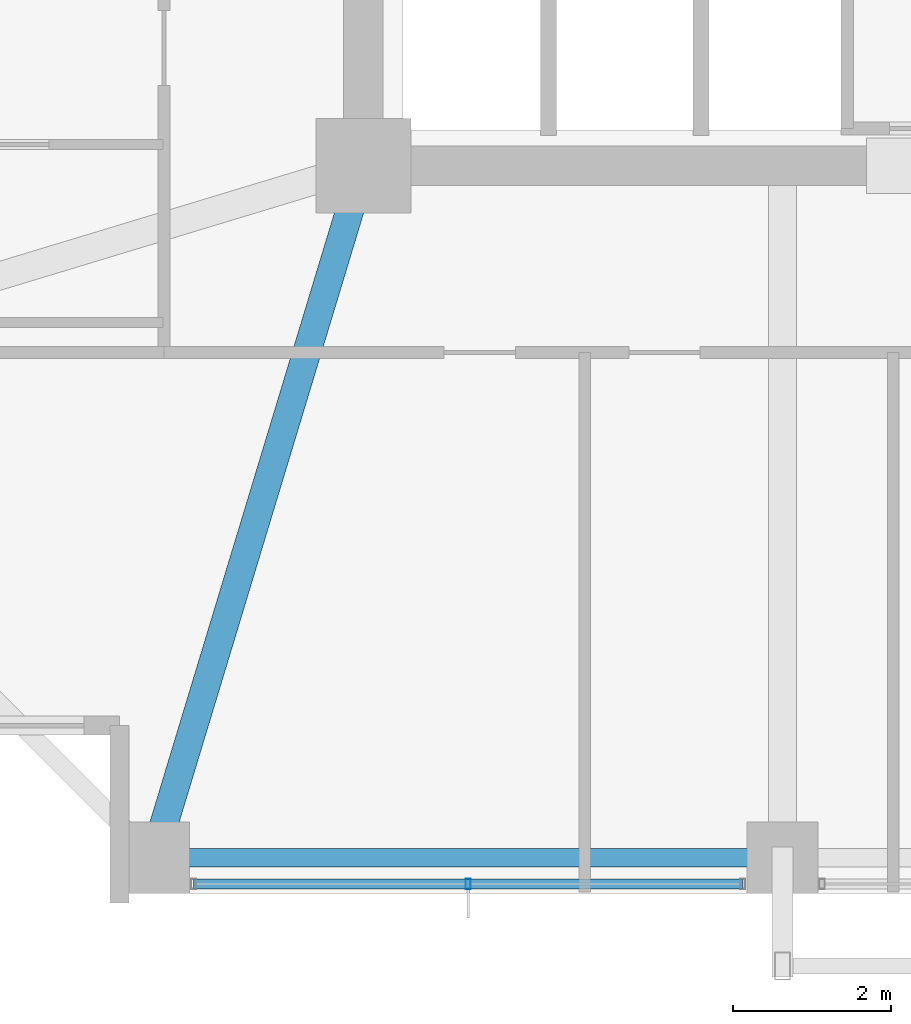
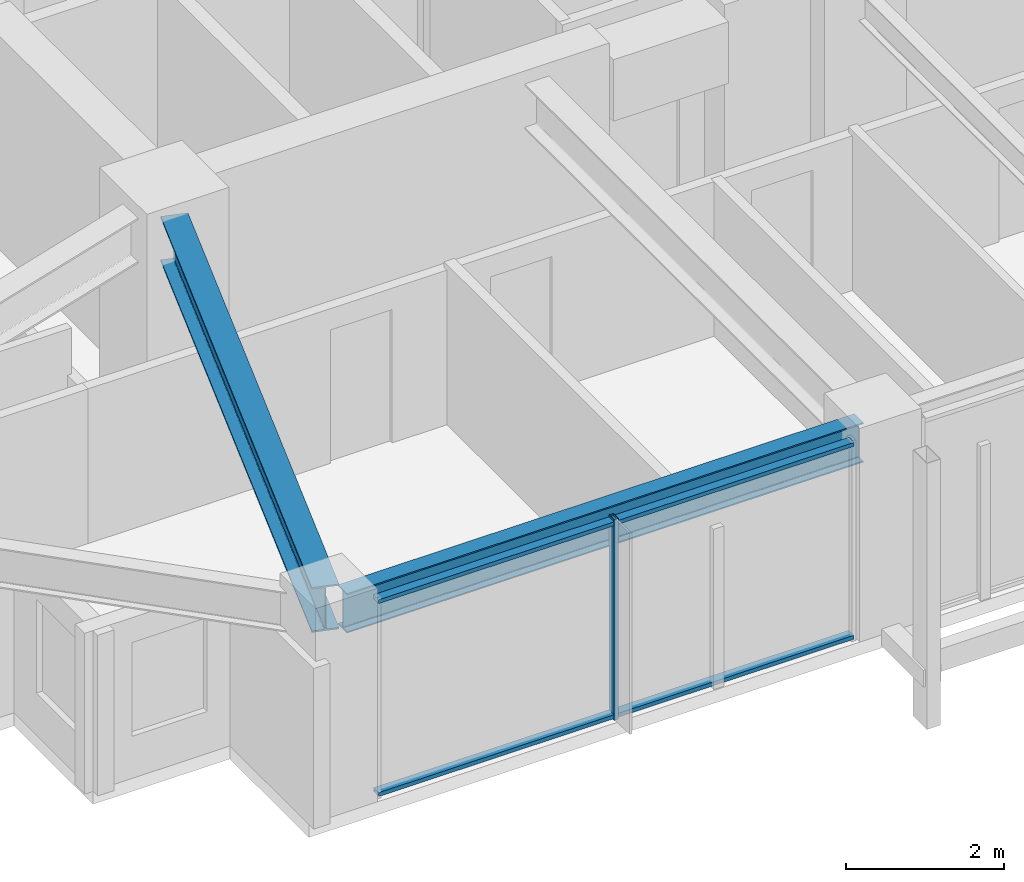
# One storey, part 3 of 37: 3 members, 2 beams, 1 element without a shape of its own.
"""IFC4 building model written with IfcOpenShell, lengths in metres."""

from ifc_helpers import new_model, si_unit, direction, frame, origin, origin_2d, place, context, subcontext, project, spatial, hollow_rectangle, i_section, extrude, material, material_profile, profile_set, type_object, element, aggregate, save


model = new_model("IFC4")

# Units and contexts
model_context = context("Model", 3, precision=1e-05, world=origin(), true_north=direction((0.0, 1.0)))
body_context = subcontext(model_context, "Body", "Model", "MODEL_VIEW")
ifc_project = project(units=[si_unit("LENGTHUNIT", "METRE"), si_unit("AREAUNIT", "SQUARE_METRE"), si_unit("VOLUMEUNIT", "CUBIC_METRE"), si_unit("PLANEANGLEUNIT", "RADIAN"), si_unit("MASSUNIT", "GRAM", prefix="KILO")], contexts=[model_context])

# Site, building, storey
site_placement = place(None, origin())
site = spatial("IfcSite", under=ifc_project, at=site_placement, CompositionType="ELEMENT")
building_placement = place(site_placement, origin())
building = spatial("IfcBuilding", under=site, at=building_placement, Name="Kolvaren Belvedere", CompositionType="ELEMENT")
storey_placement = place(building_placement, frame((0.0, 0.0, 156.89990234375)))
storey = spatial("IfcBuildingStorey", under=building, at=storey_placement, Name="L45", CompositionType="ELEMENT", Elevation=156.89990234375)

# Beams
ifc_material_1 = material(Name="Structural steel ASTM A992 Grade 50", Category="steel")
ifc_material_profile_1 = material_profile(ifc_material_1, i_section(OverallWidth=0.35498046875, OverallDepth=0.696044921875, WebThickness=0.015380859375, FlangeThickness=0.02490234375, FilletRadius=0.02197265625, at=origin_2d()), Name="W27X146")
ifc_profile_set_1 = profile_set([ifc_material_profile_1], Name="Structural steel ASTM A992 Grade 50")
beam_type_1 = type_object("IfcBeamType", Name="BM-GIRD-W27X146", PredefinedType="BEAM", material=ifc_profile_set_1)
beam_1_placement = place(storey_placement, frame((-10.059326171875, -10.426513671875, 2.752197265625), z_axis=(-0.289865629086, -0.957067352423, 0.0), x_axis=(0.957067352423, -0.289865629086, 0.0)))
element("IfcBeam", 1, at=beam_1_placement, inside=storey, type_object=beam_type_1, Name="L45 Corner Core-to-Perimeter Girder CC1-S1", PredefinedType="BEAM", context=body_context, shape_type="SweptSolid", body=[
    extrude(i_section(OverallWidth=0.35498046875, OverallDepth=0.696044921875, WebThickness=0.015380859375, FlangeThickness=0.02490234375, FilletRadius=0.02197265625, at=origin_2d()), origin(), (0.0, 0.0, 1.0), 8.412353515625),
])
ifc_material_2 = material(Name="Structural steel ASTM A992 Grade 50", Category="steel")
ifc_material_profile_2 = material_profile(ifc_material_2, i_section(OverallWidth=0.22900390625, OverallDepth=0.612060546875, WebThickness=0.011962890625, FlangeThickness=0.01953125, FilletRadius=0.01806640625, at=origin_2d()), Name="W24X84")
ifc_profile_set_2 = profile_set([ifc_material_profile_2], Name="Structural steel ASTM A992 Grade 50")
beam_type_2 = type_object("IfcBeamType", Name="BM-SPAN-W24X84", PredefinedType="SPANDREL", material=ifc_profile_set_2)
beam_2_placement = place(storey_placement, frame((-12.347412109375, -18.64990234375, 2.794189453125), z_axis=(1.0, 0.0, 0.0), x_axis=(0.0, 1.0, 0.0)))
element("IfcBeam", 2, at=beam_2_placement, inside=storey, type_object=beam_type_2, Name="L45 Perimeter Spandrel S1-S2", PredefinedType="SPANDREL", context=body_context, shape_type="SweptSolid", body=[
    extrude(i_section(OverallWidth=0.22900390625, OverallDepth=0.612060546875, WebThickness=0.011962890625, FlangeThickness=0.01953125, FilletRadius=0.01806640625, at=origin_2d()), origin(), (0.0, 0.0, 1.0), 7.544921875),
])

# Curtain wall, members
ifc_material_3 = material(Name="Anodised pale-metal aluminium AA 6063-T6", Category="aluminium")
curtain_wall_type = type_object("IfcCurtainWallType", Name="CW-Z3-WAIST", PredefinedType="NOTDEFINED", material=ifc_material_3)
curtain_wall_placement = place(storey_placement, origin())
curtain_wall = element("IfcCurtainWall", 3, at=curtain_wall_placement, inside=storey, type_object=curtain_wall_type, Name="L45 Unitised Curtain Wall FCW-L45-S-B3", PredefinedType="NOTDEFINED")
ifc_material_4 = material(Name="Anodised pale-metal aluminium AA 6063-T6", Category="aluminium")
ifc_material_profile_3 = material_profile(ifc_material_4, hollow_rectangle(XDim=0.06494140625, YDim=0.1298828125, WallThickness=0.00390625, at=origin_2d()), Name="ALU-MUL-130X65")
ifc_profile_set_3 = profile_set([ifc_material_profile_3], Name="Anodised pale-metal aluminium AA 6063-T6")
member_type_1 = type_object("IfcMemberType", Name="CW-MUL-130", PredefinedType="MULLION", material=ifc_profile_set_3)
member_1_placement = place(storey_placement, frame((-8.574951171875, -18.97998046875, 0.0), z_axis=(0.0, 0.0, 1.0), x_axis=(1.0, 0.0, 0.0)))
member_1 = element("IfcMember", 4, at=member_1_placement, type_object=member_type_1, Name="FCW-L45-S-B3 Unitised Mullion 2", PredefinedType="MULLION", context=body_context, shape_type="SweptSolid", body=[
    extrude(hollow_rectangle(XDim=0.06494140625, YDim=0.1298828125, WallThickness=0.00390625, at=origin_2d()), origin(), (0.0, 0.0, 1.0), 3.10009765625),
])
ifc_material_5 = material(Name="Anodised pale-metal aluminium AA 6063-T6", Category="aluminium")
ifc_material_profile_4 = material_profile(ifc_material_5, hollow_rectangle(XDim=0.06005859375, YDim=0.1298828125, WallThickness=0.00390625, at=origin_2d()), Name="ALU-TRN-130X60")
ifc_profile_set_4 = profile_set([ifc_material_profile_4], Name="Anodised pale-metal aluminium AA 6063-T6")
member_type_2 = type_object("IfcMemberType", Name="CW-TRN-130", PredefinedType="USERDEFINED", material=ifc_profile_set_4)
member_2_placement = place(storey_placement, frame((-5.1025390625, -18.97998046875, 0.06005859375), z_axis=(-1.0, 0.0, 0.0), x_axis=(0.0, 0.0, 1.0)))
member_2 = element("IfcMember", 5, at=member_2_placement, type_object=member_type_2, Name="FCW-L45-S-B3 Sill Transom", ObjectType="TRANSOM", PredefinedType="USERDEFINED", context=body_context, shape_type="SweptSolid", body=[
    extrude(hollow_rectangle(XDim=0.06005859375, YDim=0.1298828125, WallThickness=0.00390625, at=origin_2d()), origin(), (0.0, 0.0, 1.0), 6.945068359375),
])
member_3_placement = place(storey_placement, frame((-5.1025390625, -18.97998046875, 3.0400390625), z_axis=(-1.0, 0.0, 0.0), x_axis=(0.0, 0.0, 1.0)))
member_3 = element("IfcMember", 6, at=member_3_placement, type_object=member_type_2, Name="FCW-L45-S-B3 Head Transom", ObjectType="TRANSOM", PredefinedType="USERDEFINED", context=body_context, shape_type="SweptSolid", body=[
    extrude(hollow_rectangle(XDim=0.06005859375, YDim=0.1298828125, WallThickness=0.00390625, at=origin_2d()), origin(), (0.0, 0.0, 1.0), 6.945068359375),
])
aggregate(curtain_wall, [member_1, member_2, member_3])

save(model, "model.ifc")
